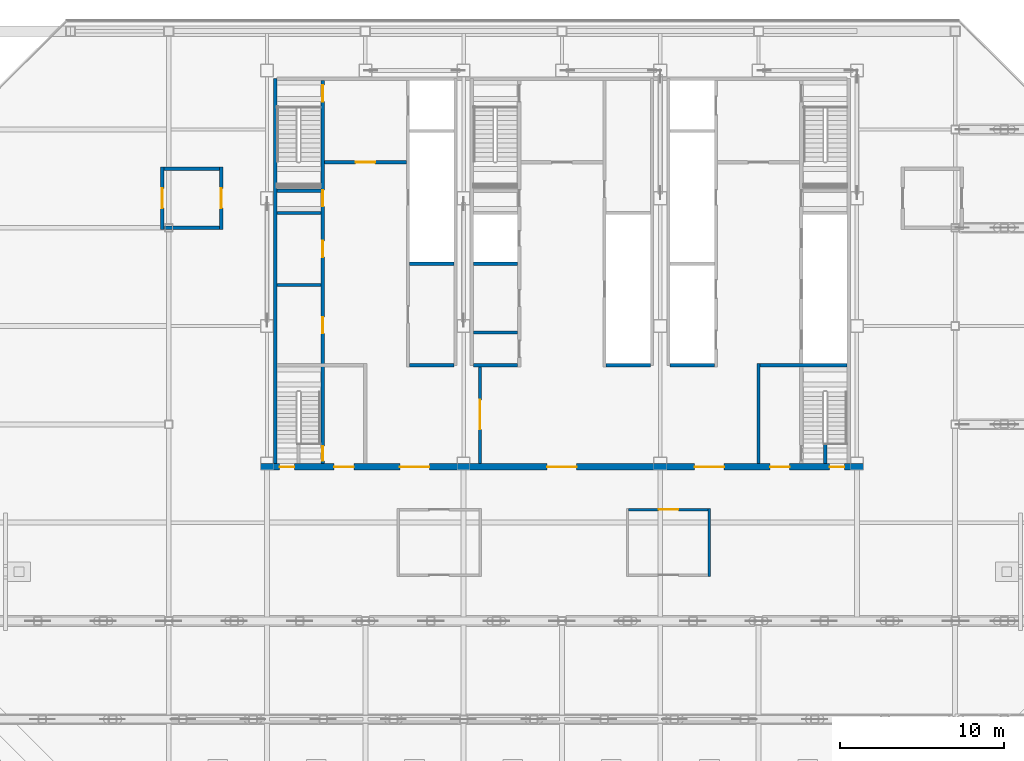
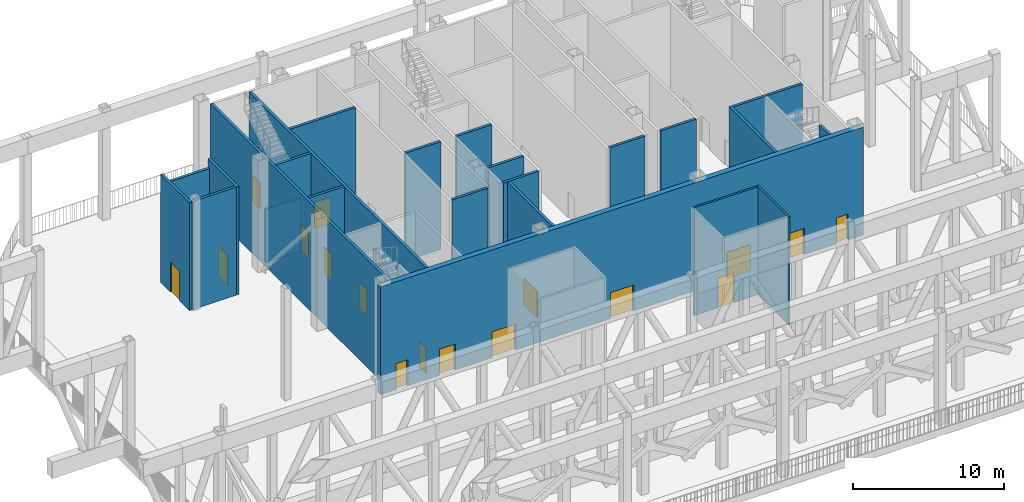
# One storey, part 7 of 22: 24 walls, 17 doors, 17 openings.
"""IFC4 building model written with IfcOpenShell, lengths in metres."""

from ifc_helpers import new_model, si_unit, direction, frame, frame_2d, origin, place, context, subcontext, project, spatial, rectangle, extrude, material, layer, layer_set, type_object, element, fill, save


model = new_model("IFC4")

# Units and contexts
model_context = context("Model", 3, precision=1e-05, world=origin(), true_north=direction((0.0, 1.0)))
body_context = subcontext(model_context, "Body", "Model", "MODEL_VIEW")
ifc_project = project(units=[si_unit("LENGTHUNIT", "METRE"), si_unit("AREAUNIT", "SQUARE_METRE"), si_unit("VOLUMEUNIT", "CUBIC_METRE"), si_unit("PLANEANGLEUNIT", "RADIAN"), si_unit("MASSUNIT", "GRAM", prefix="KILO")], contexts=[model_context])

# Site, building, storey
site_placement = place(None, origin())
site = spatial("IfcSite", under=ifc_project, at=site_placement, CompositionType="ELEMENT")
building_placement = place(site_placement, origin())
building = spatial("IfcBuilding", under=site, at=building_placement, Name="Sorahane Residences", CompositionType="ELEMENT")
storey_placement = place(building_placement, frame((0.0, 0.0, 281.800048828125)))
storey = spatial("IfcBuildingStorey", under=building, at=storey_placement, Name="L67", CompositionType="ELEMENT", Elevation=281.800048828125)

# Wall
ifc_material_1 = material(Name="White painted Concrete C30", Category="concrete")
ifc_layer_1 = layer(ifc_material_1, 0.199951171875)
ifc_layer_set_1 = layer_set([ifc_layer_1], Name="Core face wall painted white 200 EI 180")
wall_type_1 = type_object("IfcWallType", Name="Core face wall painted white 200 EI 180", PredefinedType="SOLIDWALL", material=ifc_layer_set_1)
wall_1_placement = place(storey_placement, frame((6.5, 21.60009765625, 0.0), z_axis=(0.0, 0.0, 1.0), x_axis=(0.0, 1.0, 0.0)))
element("IfcWall", 1, at=wall_1_placement, inside=storey, type_object=wall_type_1, Name="L67 core face wall", PredefinedType="SOLIDWALL", context=body_context, shape_type="SweptSolid", body=[
    extrude(rectangle(XDim=23.5, YDim=0.199951171875, at=frame_2d((11.75, 0.0))), origin(), (0.0, 0.0, 1.0), 8.699951171875),
])

# Wall, opening, door
ifc_material_2 = material(Name="White painted blockwork C20 wall", Category="masonry")
ifc_layer_2 = layer(ifc_material_2, 0.199951171875)
ifc_layer_set_2 = layer_set([ifc_layer_2], Name="Fire wall painted white 200 EI 120")
wall_type_2 = type_object("IfcWallType", Name="Fire wall painted white 200 EI 120", PredefinedType="SOLIDWALL", material=ifc_layer_set_2)
wall_2_placement = place(storey_placement, frame((-0.39990234375, 35.89990234375, 0.0), z_axis=(0.0, 0.0, 1.0), x_axis=(0.0, 1.0, 0.0)))
wall_2 = element("IfcWall", 2, at=wall_2_placement, inside=storey, type_object=wall_type_2, Name="L67 fire wall", PredefinedType="SOLIDWALL", context=body_context, shape_type="SweptSolid", body=[
    extrude(rectangle(XDim=3.800048828125, YDim=0.199951171875, at=frame_2d((1.89990234375, 0.0))), origin(), (0.0, 0.0, 1.0), 8.699951171875),
])
opening_1_placement = place(wall_2_placement, frame((1.300048828125, 0.0, 0.0)))
opening_1 = element("IfcOpeningElement", 3, at=opening_1_placement, cuts=wall_2, Name="Opening L67-03", PredefinedType="OPENING", context=body_context, shape_type="SweptSolid", body=[
    extrude(rectangle(XDim=1.199951171875, YDim=2.39990234375, at=frame_2d((0.60009765625, 1.199951171875))), frame((0.0, 0.10986328125, 0.0), z_axis=(0.0, -1.0, 0.0), x_axis=(1.0, 0.0, 0.0)), (0.0, 0.0, 1.0), 0.219970703125),
])
ifc_material_3 = material(Name="Steel", Category="steel")
door_type_1 = type_object("IfcDoorType", Name="Lobby door 1200x2400 FD60", OperationType="NOTDEFINED", PredefinedType="DOOR", material=ifc_material_3)
door_1_placement = place(opening_1_placement, frame((1.199951171875, 0.0, 0.0), z_axis=(0.0, 0.0, 1.0), x_axis=(-1.0, 0.0, 0.0)))
door_1 = element("IfcDoor", 4, at=door_1_placement, inside=storey, type_object=door_type_1, Name="Lobby door L67-03", OperationType="SINGLE_SWING_RIGHT", OverallHeight=2.39990234375, OverallWidth=1.199951171875, PredefinedType="DOOR", context=body_context, shape_type="SweptSolid", body=[
    extrude(rectangle(XDim=1.199951171875, YDim=2.39990234375, at=frame_2d((0.60009765625, 1.199951171875))), frame((0.0, 0.02490234375, 0.0), z_axis=(0.0, -1.0, 0.0), x_axis=(1.0, 0.0, 0.0)), (0.0, 0.0, 1.0), 0.050048828125),
])
fill(opening_1, door_1)

wall_3_placement = place(storey_placement, frame((3.199951171875, 35.89990234375, 0.0), z_axis=(0.0, 0.0, 1.0), x_axis=(0.0, 1.0, 0.0)))
wall_3 = element("IfcWall", 5, at=wall_3_placement, inside=storey, type_object=wall_type_2, Name="L67 fire wall", PredefinedType="SOLIDWALL", context=body_context, shape_type="SweptSolid", body=[
    extrude(rectangle(XDim=3.800048828125, YDim=0.199951171875, at=frame_2d((1.89990234375, 0.0))), origin(), (0.0, 0.0, 1.0), 8.699951171875),
])
opening_2_placement = place(wall_3_placement, frame((1.300048828125, 0.0, 0.0)))
opening_2 = element("IfcOpeningElement", 6, at=opening_2_placement, cuts=wall_3, Name="Opening L67-04", PredefinedType="OPENING", context=body_context, shape_type="SweptSolid", body=[
    extrude(rectangle(XDim=1.199951171875, YDim=2.39990234375, at=frame_2d((0.60009765625, 1.199951171875))), frame((0.0, 0.10986328125, 0.0), z_axis=(0.0, -1.0, 0.0), x_axis=(1.0, 0.0, 0.0)), (0.0, 0.0, 1.0), 0.219970703125),
])
door_2_placement = place(opening_2_placement, frame((1.199951171875, 0.0, 0.0), z_axis=(0.0, 0.0, 1.0), x_axis=(-1.0, 0.0, 0.0)))
door_2 = element("IfcDoor", 7, at=door_2_placement, inside=storey, type_object=door_type_1, Name="Lobby door L67-04", OperationType="SINGLE_SWING_LEFT", OverallHeight=2.39990234375, OverallWidth=1.199951171875, PredefinedType="DOOR", context=body_context, shape_type="SweptSolid", body=[
    extrude(rectangle(XDim=1.199951171875, YDim=2.39990234375, at=frame_2d((0.60009765625, 1.199951171875))), frame((0.0, 0.02490234375, 0.0), z_axis=(0.0, -1.0, 0.0), x_axis=(1.0, 0.0, 0.0)), (0.0, 0.0, 1.0), 0.050048828125),
])
fill(opening_2, door_2)

# Walls
wall_4_placement = place(storey_placement, frame((-0.300048828125, 36.0, 0.0), z_axis=(0.0, 0.0, 1.0), x_axis=(1.0, 0.0, 0.0)))
element("IfcWall", 8, at=wall_4_placement, inside=storey, type_object=wall_type_2, Name="L67 fire wall", PredefinedType="SOLIDWALL", context=body_context, shape_type="SweptSolid", body=[
    extrude(rectangle(XDim=3.400146484375, YDim=0.199951171875, at=frame_2d((1.7001953125, 0.0))), origin(), (0.0, 0.0, 1.0), 8.699951171875),
])
wall_5_placement = place(storey_placement, frame((-0.300048828125, 39.60009765625, 0.0), z_axis=(0.0, 0.0, 1.0), x_axis=(1.0, 0.0, 0.0)))
element("IfcWall", 9, at=wall_5_placement, inside=storey, type_object=wall_type_2, Name="L67 fire wall", PredefinedType="SOLIDWALL", context=body_context, shape_type="SweptSolid", body=[
    extrude(rectangle(XDim=3.400146484375, YDim=0.199951171875, at=frame_2d((1.7001953125, 0.0))), origin(), (0.0, 0.0, 1.0), 8.0),
])
ifc_material_4 = material(Name="White painted Concrete C30", Category="concrete")
ifc_layer_3 = layer(ifc_material_4, 0.199951171875)
ifc_layer_set_3 = layer_set([ifc_layer_3], Name="Front room wall painted white 200 EI 120")
wall_type_3 = type_object("IfcWallType", Name="Front room wall painted white 200 EI 120", PredefinedType="PARTITIONING", material=ifc_layer_set_3)
wall_6_placement = place(storey_placement, frame((36.0, 21.60009765625, 0.0), z_axis=(0.0, 0.0, 1.0), x_axis=(0.0, 1.0, 0.0)))
element("IfcWall", 10, at=wall_6_placement, inside=storey, type_object=wall_type_3, Name="L67 front room wall", PredefinedType="PARTITIONING", context=body_context, shape_type="SweptSolid", body=[
    extrude(rectangle(XDim=6.099853515625, YDim=0.199951171875, at=frame_2d((3.0498046875, 0.0))), origin(), (0.0, 0.0, 1.0), 8.699951171875),
])

# Wall, opening, door
wall_7_placement = place(storey_placement, frame((9.5, 40.0, 0.0), z_axis=(0.0, 0.0, 1.0), x_axis=(1.0, 0.0, 0.0)))
wall_7 = element("IfcWall", 11, at=wall_7_placement, inside=storey, type_object=wall_type_3, Name="L67 front room wall", PredefinedType="PARTITIONING", context=body_context, shape_type="SweptSolid", body=[
    extrude(rectangle(XDim=5.0, YDim=0.199951171875, at=frame_2d((2.5, 0.0))), origin(), (0.0, 0.0, 1.0), 8.699951171875),
])
opening_3_placement = place(wall_7_placement, frame((1.89990234375, 0.0, 0.0)))
opening_3 = element("IfcOpeningElement", 12, at=opening_3_placement, cuts=wall_7, Name="Opening L67-C07", PredefinedType="OPENING", context=body_context, shape_type="SweptSolid", body=[
    extrude(rectangle(XDim=1.199951171875, YDim=2.10009765625, at=frame_2d((0.60009765625, 1.050048828125))), frame((0.0, 0.10986328125, 0.0), z_axis=(0.0, -1.0, 0.0), x_axis=(1.0, 0.0, 0.0)), (0.0, 0.0, 1.0), 0.219970703125),
])
ifc_material_5 = material(Name="Steel", Category="steel")
door_type_2 = type_object("IfcDoorType", Name="Front room door 1200x2100 FD120", OperationType="NOTDEFINED", PredefinedType="DOOR", material=ifc_material_5)
door_3_placement = place(opening_3_placement, frame((1.199951171875, 0.0, 0.0), z_axis=(0.0, 0.0, 1.0), x_axis=(-1.0, 0.0, 0.0)))
door_3 = element("IfcDoor", 13, at=door_3_placement, inside=storey, type_object=door_type_2, Name="Front room door Firefighting lobby FF1 front room L67", OperationType="DOUBLE_DOOR_SINGLE_SWING", OverallHeight=2.10009765625, OverallWidth=1.199951171875, PredefinedType="DOOR", context=body_context, shape_type="SweptSolid", body=[
    extrude(rectangle(XDim=1.199951171875, YDim=2.10009765625, at=frame_2d((0.60009765625, 1.050048828125))), frame((0.0, 0.02490234375, 0.0), z_axis=(0.0, -1.0, 0.0), x_axis=(1.0, 0.0, 0.0)), (0.0, 0.0, 1.0), 0.050048828125),
])
fill(opening_3, door_3)

# Walls
ifc_material_6 = material(Name="White painted Concrete C30", Category="concrete")
ifc_layer_4 = layer(ifc_material_6, 0.199951171875)
ifc_layer_set_4 = layer_set([ifc_layer_4], Name="Lift shaft wall painted white 200 EI 120")
wall_type_4 = type_object("IfcWallType", Name="Lift shaft wall painted white 200 EI 120", PredefinedType="SOLIDWALL", material=ifc_layer_set_4)
wall_8_placement = place(storey_placement, frame((30.60009765625, 27.60009765625, 0.0), z_axis=(0.0, 0.0, 1.0), x_axis=(1.0, 0.0, 0.0)))
element("IfcWall", 14, at=wall_8_placement, inside=storey, type_object=wall_type_4, Name="L67 lift shaft wall", PredefinedType="SOLIDWALL", context=body_context, shape_type="SweptSolid", body=[
    extrude(rectangle(XDim=2.699951171875, YDim=0.199951171875, at=frame_2d((1.35009765625, 0.0))), origin(), (0.0, 0.0, 1.0), 8.699951171875),
])
ifc_material_7 = material(Name="Gypsum board partition on steel studs", Category="steel")
ifc_layer_5 = layer(ifc_material_7, 0.14990234375)
ifc_layer_set_5 = layer_set([ifc_layer_5], Name="Partition 150 EI 90")
wall_type_5 = type_object("IfcWallType", Name="Partition 150 EI 90", PredefinedType="PARTITIONING", material=ifc_layer_set_5)
wall_9_placement = place(storey_placement, frame((33.0, 14.72509765625, 0.0), z_axis=(0.0, 0.0, 1.0), x_axis=(0.0, 1.0, 0.0)))
element("IfcWall", 15, at=wall_9_placement, inside=storey, type_object=wall_type_5, Name="L67 partition", PredefinedType="PARTITIONING", context=body_context, shape_type="SweptSolid", body=[
    extrude(rectangle(XDim=4.14990234375, YDim=0.14990234375, at=frame_2d((2.074951171875, 0.0))), origin(), (0.0, 0.0, 1.0), 8.699951171875),
])

# Wall, opening, door
wall_10_placement = place(storey_placement, frame((28.074951171875, 18.800048828125, 0.0), z_axis=(0.0, 0.0, 1.0), x_axis=(1.0, 0.0, 0.0)))
wall_10 = element("IfcWall", 16, at=wall_10_placement, inside=storey, type_object=wall_type_5, Name="L67 partition", PredefinedType="PARTITIONING", context=body_context, shape_type="SweptSolid", body=[
    extrude(rectangle(XDim=4.85009765625, YDim=0.14990234375, at=frame_2d((2.425048828125, 0.0))), origin(), (0.0, 0.0, 1.0), 8.699951171875),
])
opening_4_placement = place(wall_10_placement, frame((1.824951171875, 0.0, 0.0)))
opening_4 = element("IfcOpeningElement", 17, at=opening_4_placement, cuts=wall_10, Name="Opening L67-07", PredefinedType="OPENING", context=body_context, shape_type="SweptSolid", body=[
    extrude(rectangle(XDim=1.199951171875, YDim=2.39990234375, at=frame_2d((0.60009765625, 1.199951171875))), frame((0.0, 0.0849609375, 0.0), z_axis=(0.0, -1.0, 0.0), x_axis=(1.0, 0.0, 0.0)), (0.0, 0.0, 1.0), 0.169921875),
])
ifc_material_8 = material(Name="Timber veneered fire door", Category="wood")
door_type_3 = type_object("IfcDoorType", Name="Room door 1200x2400 FD30", OperationType="NOTDEFINED", PredefinedType="DOOR", material=ifc_material_8)
door_4_placement = place(opening_4_placement, frame((1.199951171875, 0.0, 0.0), z_axis=(0.0, 0.0, 1.0), x_axis=(-1.0, 0.0, 0.0)))
door_4 = element("IfcDoor", 18, at=door_4_placement, inside=storey, type_object=door_type_3, Name="Room door L67-07", OperationType="SINGLE_SWING_RIGHT", OverallHeight=2.39990234375, OverallWidth=1.199951171875, PredefinedType="DOOR", context=body_context, shape_type="SweptSolid", body=[
    extrude(rectangle(XDim=1.199951171875, YDim=2.39990234375, at=frame_2d((0.60009765625, 1.199951171875))), frame((0.0, 0.02490234375, 0.0), z_axis=(0.0, -1.0, 0.0), x_axis=(1.0, 0.0, 0.0)), (0.0, 0.0, 1.0), 0.050048828125),
])
fill(opening_4, door_4)

# Walls
ifc_material_9 = material(Name="White painted Concrete C30", Category="concrete")
ifc_layer_6 = layer(ifc_material_9, 0.199951171875)
ifc_layer_set_6 = layer_set([ifc_layer_6], Name="Riser shaft wall painted white 200 EI 120")
wall_type_6 = type_object("IfcWallType", Name="Riser shaft wall painted white 200 EI 120", PredefinedType="SOLIDWALL", material=ifc_layer_set_6)
for number, where, z_axis, x_axis, name in (
    (19, (26.699951171875, 27.60009765625, 0.0), (0.0, 0.0, 1.0), (1.0, 0.0, 0.0), "L67 riser wall"),
    (20, (14.699951171875, 33.800048828125, 0.0), (0.0, 0.0, 1.0), (1.0, 0.0, 0.0), "L67 riser wall"),
    (21, (18.60009765625, 33.800048828125, 0.0), (0.0, 0.0, 1.0), (1.0, 0.0, 0.0), "L67 riser wall"),
):
    element("IfcWall", number, at=place(storey_placement, frame(where, z_axis=z_axis, x_axis=x_axis)), inside=storey, type_object=wall_type_6, Name=name, PredefinedType="SOLIDWALL", context=body_context, shape_type="SweptSolid", body=[
        extrude(rectangle(XDim=2.699951171875, YDim=0.199951171875, at=frame_2d((1.35009765625, 0.0))), origin(), (0.0, 0.0, 1.0), 8.699951171875),
    ])

# Wall, opening, door
ifc_material_10 = material(Name="White painted Concrete C30", Category="concrete")
ifc_layer_7 = layer(ifc_material_10, 0.199951171875)
ifc_layer_set_7 = layer_set([ifc_layer_7], Name="Service room partition painted white 200 EI 60")
wall_type_7 = type_object("IfcWallType", Name="Service room partition painted white 200 EI 60", PredefinedType="PARTITIONING", material=ifc_layer_set_7)
wall_11_placement = place(storey_placement, frame((19.0, 21.60009765625, 0.0), z_axis=(0.0, 0.0, 1.0), x_axis=(0.0, 1.0, 0.0)))
wall_11 = element("IfcWall", 22, at=wall_11_placement, inside=storey, type_object=wall_type_7, Name="L67 service room wall", PredefinedType="PARTITIONING", context=body_context, shape_type="SweptSolid", body=[
    extrude(rectangle(XDim=6.0, YDim=0.199951171875, at=frame_2d((3.0, 0.0))), origin(), (0.0, 0.0, 1.0), 8.699951171875),
])
opening_5_placement = place(wall_11_placement, frame((2.10009765625, 0.0, 0.0)))
opening_5 = element("IfcOpeningElement", 23, at=opening_5_placement, cuts=wall_11, Name="Opening L67-C02", PredefinedType="OPENING", context=body_context, shape_type="SweptSolid", body=[
    extrude(rectangle(XDim=1.800048828125, YDim=2.10009765625, at=frame_2d((0.89990234375, 1.050048828125))), frame((0.0, 0.10986328125, 0.0), z_axis=(0.0, -1.0, 0.0), x_axis=(1.0, 0.0, 0.0)), (0.0, 0.0, 1.0), 0.219970703125),
])
ifc_material_11 = material(Name="Steel", Category="steel")
door_type_4 = type_object("IfcDoorType", Name="Waiting hall door 1800x2100 FD60", OperationType="NOTDEFINED", PredefinedType="DOOR", material=ifc_material_11)
door_5_placement = place(opening_5_placement, origin())
door_5 = element("IfcDoor", 24, at=door_5_placement, inside=storey, type_object=door_type_4, Name="Waiting hall door Residents' waiting hall west L67", OperationType="SINGLE_SWING_LEFT", OverallHeight=2.10009765625, OverallWidth=1.800048828125, PredefinedType="DOOR", context=body_context, shape_type="SweptSolid", body=[
    extrude(rectangle(XDim=1.800048828125, YDim=2.10009765625, at=frame_2d((0.89990234375, 1.050048828125))), frame((0.0, 0.02490234375, 0.0), z_axis=(0.0, -1.0, 0.0), x_axis=(1.0, 0.0, 0.0)), (0.0, 0.0, 1.0), 0.050048828125),
])
fill(opening_5, door_5)

# Walls
for number, where, z_axis, x_axis, name in (
    (25, (14.699951171875, 27.60009765625, 0.0), (0.0, 0.0, 1.0), (1.0, 0.0, 0.0), "L67 service room wall"),
    (26, (18.60009765625, 27.60009765625, 0.0), (0.0, 0.0, 1.0), (1.0, 0.0, 0.0), "L67 service room wall"),
    (27, (18.60009765625, 29.60009765625, 0.0), (0.0, 0.0, 1.0), (1.0, 0.0, 0.0), "L67 service room wall"),
    (28, (6.60009765625, 32.5, 0.0), (0.0, 0.0, 1.0), (1.0, 0.0, 0.0), "L67 service room wall"),
):
    element("IfcWall", number, at=place(storey_placement, frame(where, z_axis=z_axis, x_axis=x_axis)), inside=storey, type_object=wall_type_7, Name=name, PredefinedType="PARTITIONING", context=body_context, shape_type="SweptSolid", body=[
        extrude(rectangle(XDim=2.699951171875, YDim=0.199951171875, at=frame_2d((1.35009765625, 0.0))), origin(), (0.0, 0.0, 1.0), 8.699951171875),
    ])
ifc_material_12 = material(Name="White painted Concrete C30", Category="concrete")
ifc_layer_8 = layer(ifc_material_12, 0.199951171875)
ifc_layer_set_8 = layer_set([ifc_layer_8], Name="Stair enclosure wall painted white 200 EI 120")
wall_type_8 = type_object("IfcWallType", Name="Stair enclosure wall painted white 200 EI 120", PredefinedType="SOLIDWALL", material=ifc_layer_set_8)
wall_12_placement = place(storey_placement, frame((40.074951171875, 21.60009765625, 0.0), z_axis=(0.0, 0.0, 1.0), x_axis=(0.0, 1.0, 0.0)))
element("IfcWall", 29, at=wall_12_placement, inside=storey, type_object=wall_type_8, Name="L67 stair enclosure wall", PredefinedType="SOLIDWALL", context=body_context, shape_type="SweptSolid", body=[
    extrude(rectangle(XDim=1.25, YDim=0.199951171875, at=frame_2d((0.625, 0.0))), origin(), (0.0, 0.0, 1.0), 8.699951171875),
])

# Wall, openings, doors
wall_13_placement = place(storey_placement, frame((9.39990234375, 21.60009765625, 0.0), z_axis=(0.0, 0.0, 1.0), x_axis=(0.0, 1.0, 0.0)))
wall_13 = element("IfcWall", 30, at=wall_13_placement, inside=storey, type_object=wall_type_8, Name="L67 stair enclosure wall", PredefinedType="SOLIDWALL", context=body_context, shape_type="SweptSolid", body=[
    extrude(rectangle(XDim=23.39990234375, YDim=0.199951171875, at=frame_2d((11.699951171875, 0.0))), origin(), (0.0, 0.0, 1.0), 8.699951171875),
])
opening_6_placement = place(wall_13_placement, frame((7.949951171875, 0.0, 0.0)))
opening_6 = element("IfcOpeningElement", 31, at=opening_6_placement, cuts=wall_13, Name="Opening L67-C20", PredefinedType="OPENING", context=body_context, shape_type="SweptSolid", body=[
    extrude(rectangle(XDim=1.0, YDim=2.10009765625, at=frame_2d((0.5, 1.050048828125))), frame((0.0, 0.10986328125, 0.0), z_axis=(0.0, -1.0, 0.0), x_axis=(1.0, 0.0, 0.0)), (0.0, 0.0, 1.0), 0.219970703125),
])
opening_7_placement = place(wall_13_placement, frame((12.60009765625, 0.0, 0.0)))
opening_7 = element("IfcOpeningElement", 32, at=opening_7_placement, cuts=wall_13, Name="Opening L67-C21", PredefinedType="OPENING", context=body_context, shape_type="SweptSolid", body=[
    extrude(rectangle(XDim=1.0, YDim=2.10009765625, at=frame_2d((0.5, 1.050048828125))), frame((0.0, 0.10986328125, 0.0), z_axis=(0.0, -1.0, 0.0), x_axis=(1.0, 0.0, 0.0)), (0.0, 0.0, 1.0), 0.219970703125),
])
opening_8_placement = place(wall_13_placement, frame((15.699951171875, 0.0, 0.0)))
opening_8 = element("IfcOpeningElement", 33, at=opening_8_placement, cuts=wall_13, Name="Opening L67-C22", PredefinedType="OPENING", context=body_context, shape_type="SweptSolid", body=[
    extrude(rectangle(XDim=1.0, YDim=2.10009765625, at=frame_2d((0.5, 1.050048828125))), frame((0.0, 0.10986328125, 0.0), z_axis=(0.0, -1.0, 0.0), x_axis=(1.0, 0.0, 0.0)), (0.0, 0.0, 1.0), 0.219970703125),
])
opening_9_placement = place(wall_13_placement, frame((22.10009765625, 0.0, 0.0)))
opening_9 = element("IfcOpeningElement", 34, at=opening_9_placement, cuts=wall_13, Name="Opening L67-C23", PredefinedType="OPENING", context=body_context, shape_type="SweptSolid", body=[
    extrude(rectangle(XDim=1.0, YDim=2.10009765625, at=frame_2d((0.5, 1.050048828125))), frame((0.0, 0.10986328125, 0.0), z_axis=(0.0, -1.0, 0.0), x_axis=(1.0, 0.0, 0.0)), (0.0, 0.0, 1.0), 0.219970703125),
])
opening_10_placement = place(wall_13_placement, frame((0.175048828125, 0.0, 0.0)))
opening_10 = element("IfcOpeningElement", 35, at=opening_10_placement, cuts=wall_13, Name="Opening L67-C29", PredefinedType="OPENING", context=body_context, shape_type="SweptSolid", body=[
    extrude(rectangle(XDim=0.89990234375, YDim=2.10009765625, at=frame_2d((0.449951171875, 1.050048828125))), frame((0.0, 0.10986328125, 0.0), z_axis=(0.0, -1.0, 0.0), x_axis=(1.0, 0.0, 0.0)), (0.0, 0.0, 1.0), 0.219970703125),
])
ifc_material_13 = material(Name="Steel", Category="steel")
door_type_5 = type_object("IfcDoorType", Name="Refuge stair door 1000x2100 FD120", OperationType="NOTDEFINED", PredefinedType="DOOR", material=ifc_material_13)
door_6_placement = place(opening_8_placement, origin())
door_6 = element("IfcDoor", 36, at=door_6_placement, inside=storey, type_object=door_type_5, Name="Refuge stair door S1 L67", OperationType="SINGLE_SWING_LEFT", OverallHeight=2.10009765625, OverallWidth=1.0, PredefinedType="DOOR", context=body_context, shape_type="SweptSolid", body=[
    extrude(rectangle(XDim=1.0, YDim=2.10009765625, at=frame_2d((0.5, 1.050048828125))), frame((0.0, 0.02490234375, 0.0), z_axis=(0.0, -1.0, 0.0), x_axis=(1.0, 0.0, 0.0)), (0.0, 0.0, 1.0), 0.050048828125),
])
fill(opening_8, door_6)
door_7_placement = place(opening_9_placement, origin())
door_7 = element("IfcDoor", 37, at=door_7_placement, inside=storey, type_object=door_type_5, Name="Refuge stair door S1 L67", OperationType="SINGLE_SWING_LEFT", OverallHeight=2.10009765625, OverallWidth=1.0, PredefinedType="DOOR", context=body_context, shape_type="SweptSolid", body=[
    extrude(rectangle(XDim=1.0, YDim=2.10009765625, at=frame_2d((0.5, 1.050048828125))), frame((0.0, 0.02490234375, 0.0), z_axis=(0.0, -1.0, 0.0), x_axis=(1.0, 0.0, 0.0)), (0.0, 0.0, 1.0), 0.050048828125),
])
fill(opening_9, door_7)
ifc_material_14 = material(Name="Steel", Category="steel")
door_type_6 = type_object("IfcDoorType", Name="Refuge stair door 900x2100 FD120", OperationType="NOTDEFINED", PredefinedType="DOOR", material=ifc_material_14)
door_8_placement = place(opening_10_placement, origin())
door_8 = element("IfcDoor", 38, at=door_8_placement, inside=storey, type_object=door_type_6, Name="Refuge stair door S4 L67", OperationType="SINGLE_SWING_LEFT", OverallHeight=2.10009765625, OverallWidth=0.89990234375, PredefinedType="DOOR", context=body_context, shape_type="SweptSolid", body=[
    extrude(rectangle(XDim=0.89990234375, YDim=2.10009765625, at=frame_2d((0.449951171875, 1.050048828125))), frame((0.0, 0.02490234375, 0.0), z_axis=(0.0, -1.0, 0.0), x_axis=(1.0, 0.0, 0.0)), (0.0, 0.0, 1.0), 0.050048828125),
])
fill(opening_10, door_8)
ifc_material_15 = material(Name="Steel", Category="steel")
door_type_7 = type_object("IfcDoorType", Name="Service room door 1000x2100 FD60", OperationType="NOTDEFINED", PredefinedType="DOOR", material=ifc_material_15)
door_9_placement = place(opening_6_placement, origin())
door_9 = element("IfcDoor", 39, at=door_9_placement, inside=storey, type_object=door_type_7, Name="Service room door Wine room L67", OperationType="SINGLE_SWING_LEFT", OverallHeight=2.10009765625, OverallWidth=1.0, PredefinedType="DOOR", context=body_context, shape_type="SweptSolid", body=[
    extrude(rectangle(XDim=1.0, YDim=2.10009765625, at=frame_2d((0.5, 1.050048828125))), frame((0.0, 0.02490234375, 0.0), z_axis=(0.0, -1.0, 0.0), x_axis=(1.0, 0.0, 0.0)), (0.0, 0.0, 1.0), 0.050048828125),
])
fill(opening_6, door_9)
door_10_placement = place(opening_7_placement, origin())
door_10 = element("IfcDoor", 40, at=door_10_placement, inside=storey, type_object=door_type_7, Name="Service room door Games room L67", OperationType="SINGLE_SWING_RIGHT", OverallHeight=2.10009765625, OverallWidth=1.0, PredefinedType="DOOR", context=body_context, shape_type="SweptSolid", body=[
    extrude(rectangle(XDim=1.0, YDim=2.10009765625, at=frame_2d((0.5, 1.050048828125))), frame((0.0, 0.02490234375, 0.0), z_axis=(0.0, -1.0, 0.0), x_axis=(1.0, 0.0, 0.0)), (0.0, 0.0, 1.0), 0.050048828125),
])
fill(opening_7, door_10)

# Walls
wall_14_placement = place(storey_placement, frame((36.10009765625, 27.60009765625, 0.0), z_axis=(0.0, 0.0, 1.0), x_axis=(1.0, 0.0, 0.0)))
element("IfcWall", 41, at=wall_14_placement, inside=storey, type_object=wall_type_8, Name="L67 stair enclosure wall", PredefinedType="SOLIDWALL", context=body_context, shape_type="SweptSolid", body=[
    extrude(rectangle(XDim=5.2998046875, YDim=0.199951171875, at=frame_2d((2.64990234375, 0.0))), origin(), (0.0, 0.0, 1.0), 8.699951171875),
])
wall_15_placement = place(storey_placement, frame((6.60009765625, 36.89990234375, 0.0), z_axis=(0.0, 0.0, 1.0), x_axis=(1.0, 0.0, 0.0)))
element("IfcWall", 42, at=wall_15_placement, inside=storey, type_object=wall_type_8, Name="L67 stair enclosure wall", PredefinedType="SOLIDWALL", context=body_context, shape_type="SweptSolid", body=[
    extrude(rectangle(XDim=2.699951171875, YDim=0.199951171875, at=frame_2d((1.35009765625, 0.0))), origin(), (0.0, 0.0, 1.0), 8.699951171875),
])
wall_16_placement = place(storey_placement, frame((6.60009765625, 38.25, 0.0), z_axis=(0.0, 0.0, 1.0), x_axis=(1.0, 0.0, 0.0)))
element("IfcWall", 43, at=wall_16_placement, inside=storey, type_object=wall_type_8, Name="L67 stair enclosure wall", PredefinedType="SOLIDWALL", context=body_context, shape_type="SweptSolid", body=[
    extrude(rectangle(XDim=2.699951171875, YDim=0.199951171875, at=frame_2d((1.35009765625, 0.0))), origin(), (0.0, 0.0, 1.0), 4.300048828125),
])

# Wall, openings, doors
ifc_material_16 = material(Name="White painted Concrete C30", Category="concrete")
ifc_layer_9 = layer(ifc_material_16, 0.39990234375)
ifc_layer_set_9 = layer_set([ifc_layer_9], Name="Waiting hall wall painted white 400 EI 120")
wall_type_9 = type_object("IfcWallType", Name="Waiting hall wall painted white 400 EI 120", PredefinedType="SOLIDWALL", material=ifc_layer_set_9)
wall_17_placement = place(storey_placement, frame((5.60009765625, 21.39990234375, 0.0), z_axis=(0.0, 0.0, 1.0), x_axis=(1.0, 0.0, 0.0)))
wall_17 = element("IfcWall", 44, at=wall_17_placement, inside=storey, type_object=wall_type_9, Name="L67 waiting hall wall", PredefinedType="SOLIDWALL", context=body_context, shape_type="SweptSolid", body=[
    extrude(rectangle(XDim=36.7998046875, YDim=0.39990234375, at=frame_2d((18.39990234375, 0.0))), origin(), (0.0, 0.0, 1.0), 8.699951171875),
])
opening_11_placement = place(wall_17_placement, frame((8.5, 0.0, 0.0)))
opening_11 = element("IfcOpeningElement", 45, at=opening_11_placement, cuts=wall_17, Name="Opening L67-C01", PredefinedType="OPENING", context=body_context, shape_type="SweptSolid", body=[
    extrude(rectangle(XDim=1.800048828125, YDim=2.10009765625, at=frame_2d((0.89990234375, 1.050048828125))), frame((0.0, 0.2099609375, 0.0), z_axis=(0.0, -1.0, 0.0), x_axis=(1.0, 0.0, 0.0)), (0.0, 0.0, 1.0), 0.419921875),
])
opening_12_placement = place(wall_17_placement, frame((17.5, 0.0, 0.0)))
opening_12 = element("IfcOpeningElement", 46, at=opening_12_placement, cuts=wall_17, Name="Opening L67-C03", PredefinedType="OPENING", context=body_context, shape_type="SweptSolid", body=[
    extrude(rectangle(XDim=1.800048828125, YDim=2.10009765625, at=frame_2d((0.89990234375, 1.050048828125))), frame((0.0, 0.2099609375, 0.0), z_axis=(0.0, -1.0, 0.0), x_axis=(1.0, 0.0, 0.0)), (0.0, 0.0, 1.0), 0.419921875),
])
opening_13_placement = place(wall_17_placement, frame((26.5, 0.0, 0.0)))
opening_13 = element("IfcOpeningElement", 47, at=opening_13_placement, cuts=wall_17, Name="Opening L67-C04", PredefinedType="OPENING", context=body_context, shape_type="SweptSolid", body=[
    extrude(rectangle(XDim=1.800048828125, YDim=2.10009765625, at=frame_2d((0.89990234375, 1.050048828125))), frame((0.0, 0.2099609375, 0.0), z_axis=(0.0, -1.0, 0.0), x_axis=(1.0, 0.0, 0.0)), (0.0, 0.0, 1.0), 0.419921875),
])
opening_14_placement = place(wall_17_placement, frame((4.5, 0.0, 0.0)))
opening_14 = element("IfcOpeningElement", 48, at=opening_14_placement, cuts=wall_17, Name="Opening L67-C05", PredefinedType="OPENING", context=body_context, shape_type="SweptSolid", body=[
    extrude(rectangle(XDim=1.199951171875, YDim=2.10009765625, at=frame_2d((0.60009765625, 1.050048828125))), frame((0.0, 0.2099609375, 0.0), z_axis=(0.0, -1.0, 0.0), x_axis=(1.0, 0.0, 0.0)), (0.0, 0.0, 1.0), 0.419921875),
])
opening_15_placement = place(wall_17_placement, frame((31.10009765625, 0.0, 0.0)))
opening_15 = element("IfcOpeningElement", 49, at=opening_15_placement, cuts=wall_17, Name="Opening L67-C06", PredefinedType="OPENING", context=body_context, shape_type="SweptSolid", body=[
    extrude(rectangle(XDim=1.199951171875, YDim=2.10009765625, at=frame_2d((0.60009765625, 1.050048828125))), frame((0.0, 0.2099609375, 0.0), z_axis=(0.0, -1.0, 0.0), x_axis=(1.0, 0.0, 0.0)), (0.0, 0.0, 1.0), 0.419921875),
])
opening_16_placement = place(wall_17_placement, frame((1.16259765625, 0.0, 0.0)))
opening_16 = element("IfcOpeningElement", 50, at=opening_16_placement, cuts=wall_17, Name="Opening L67-C28", PredefinedType="OPENING", context=body_context, shape_type="SweptSolid", body=[
    extrude(rectangle(XDim=0.89990234375, YDim=2.10009765625, at=frame_2d((0.449951171875, 1.050048828125))), frame((0.0, 0.2099609375, 0.0), z_axis=(0.0, -1.0, 0.0), x_axis=(1.0, 0.0, 0.0)), (0.0, 0.0, 1.0), 0.419921875),
])
opening_17_placement = place(wall_17_placement, frame((34.737548828125, 0.0, 0.0)))
opening_17 = element("IfcOpeningElement", 51, at=opening_17_placement, cuts=wall_17, Name="Opening L67-C31", PredefinedType="OPENING", context=body_context, shape_type="SweptSolid", body=[
    extrude(rectangle(XDim=0.89990234375, YDim=2.10009765625, at=frame_2d((0.449951171875, 1.050048828125))), frame((0.0, 0.2099609375, 0.0), z_axis=(0.0, -1.0, 0.0), x_axis=(1.0, 0.0, 0.0)), (0.0, 0.0, 1.0), 0.419921875),
])
door_11_placement = place(opening_16_placement, origin())
door_11 = element("IfcDoor", 52, at=door_11_placement, inside=storey, type_object=door_type_6, Name="Refuge stair door S4 L67", OperationType="SINGLE_SWING_LEFT", OverallHeight=2.10009765625, OverallWidth=0.89990234375, PredefinedType="DOOR", context=body_context, shape_type="SweptSolid", body=[
    extrude(rectangle(XDim=0.89990234375, YDim=2.10009765625, at=frame_2d((0.449951171875, 1.050048828125))), frame((0.0, 0.02490234375, 0.0), z_axis=(0.0, -1.0, 0.0), x_axis=(1.0, 0.0, 0.0)), (0.0, 0.0, 1.0), 0.050048828125),
])
fill(opening_16, door_11)
door_12_placement = place(opening_17_placement, origin())
door_12 = element("IfcDoor", 53, at=door_12_placement, inside=storey, type_object=door_type_6, Name="Refuge stair door S5 L67", OperationType="SINGLE_SWING_LEFT", OverallHeight=2.10009765625, OverallWidth=0.89990234375, PredefinedType="DOOR", context=body_context, shape_type="SweptSolid", body=[
    extrude(rectangle(XDim=0.89990234375, YDim=2.10009765625, at=frame_2d((0.449951171875, 1.050048828125))), frame((0.0, 0.02490234375, 0.0), z_axis=(0.0, -1.0, 0.0), x_axis=(1.0, 0.0, 0.0)), (0.0, 0.0, 1.0), 0.050048828125),
])
fill(opening_17, door_12)
ifc_material_17 = material(Name="Steel", Category="steel")
door_type_8 = type_object("IfcDoorType", Name="Stair front room door 1200x2100 FD120", OperationType="NOTDEFINED", PredefinedType="DOOR", material=ifc_material_17)
door_13_placement = place(opening_14_placement, frame((1.199951171875, 0.0, 0.0), z_axis=(0.0, 0.0, 1.0), x_axis=(-1.0, 0.0, 0.0)))
door_13 = element("IfcDoor", 54, at=door_13_placement, inside=storey, type_object=door_type_8, Name="Stair front room door Stair S4 front room L67", OperationType="SINGLE_SWING_LEFT", OverallHeight=2.10009765625, OverallWidth=1.199951171875, PredefinedType="DOOR", context=body_context, shape_type="SweptSolid", body=[
    extrude(rectangle(XDim=1.199951171875, YDim=2.10009765625, at=frame_2d((0.60009765625, 1.050048828125))), frame((0.0, 0.02490234375, 0.0), z_axis=(0.0, -1.0, 0.0), x_axis=(1.0, 0.0, 0.0)), (0.0, 0.0, 1.0), 0.050048828125),
])
fill(opening_14, door_13)
door_14_placement = place(opening_15_placement, frame((1.199951171875, 0.0, 0.0), z_axis=(0.0, 0.0, 1.0), x_axis=(-1.0, 0.0, 0.0)))
door_14 = element("IfcDoor", 55, at=door_14_placement, inside=storey, type_object=door_type_8, Name="Stair front room door Stair S5 front room L67", OperationType="SINGLE_SWING_LEFT", OverallHeight=2.10009765625, OverallWidth=1.199951171875, PredefinedType="DOOR", context=body_context, shape_type="SweptSolid", body=[
    extrude(rectangle(XDim=1.199951171875, YDim=2.10009765625, at=frame_2d((0.60009765625, 1.050048828125))), frame((0.0, 0.02490234375, 0.0), z_axis=(0.0, -1.0, 0.0), x_axis=(1.0, 0.0, 0.0)), (0.0, 0.0, 1.0), 0.050048828125),
])
fill(opening_15, door_14)
door_15_placement = place(opening_11_placement, frame((1.800048828125, 0.0, 0.0), z_axis=(0.0, 0.0, 1.0), x_axis=(-1.0, 0.0, 0.0)))
door_15 = element("IfcDoor", 56, at=door_15_placement, inside=storey, type_object=door_type_4, Name="Waiting hall door Residents' waiting hall west L67", OperationType="SINGLE_SWING_LEFT", OverallHeight=2.10009765625, OverallWidth=1.800048828125, PredefinedType="DOOR", context=body_context, shape_type="SweptSolid", body=[
    extrude(rectangle(XDim=1.800048828125, YDim=2.10009765625, at=frame_2d((0.89990234375, 1.050048828125))), frame((0.0, 0.02490234375, 0.0), z_axis=(0.0, -1.0, 0.0), x_axis=(1.0, 0.0, 0.0)), (0.0, 0.0, 1.0), 0.050048828125),
])
fill(opening_11, door_15)
door_16_placement = place(opening_12_placement, frame((1.800048828125, 0.0, 0.0), z_axis=(0.0, 0.0, 1.0), x_axis=(-1.0, 0.0, 0.0)))
door_16 = element("IfcDoor", 57, at=door_16_placement, inside=storey, type_object=door_type_4, Name="Waiting hall door Residents' waiting hall east L67", OperationType="SINGLE_SWING_LEFT", OverallHeight=2.10009765625, OverallWidth=1.800048828125, PredefinedType="DOOR", context=body_context, shape_type="SweptSolid", body=[
    extrude(rectangle(XDim=1.800048828125, YDim=2.10009765625, at=frame_2d((0.89990234375, 1.050048828125))), frame((0.0, 0.02490234375, 0.0), z_axis=(0.0, -1.0, 0.0), x_axis=(1.0, 0.0, 0.0)), (0.0, 0.0, 1.0), 0.050048828125),
])
fill(opening_12, door_16)
door_17_placement = place(opening_13_placement, frame((1.800048828125, 0.0, 0.0), z_axis=(0.0, 0.0, 1.0), x_axis=(-1.0, 0.0, 0.0)))
door_17 = element("IfcDoor", 58, at=door_17_placement, inside=storey, type_object=door_type_4, Name="Waiting hall door Residents' waiting hall east L67", OperationType="SINGLE_SWING_LEFT", OverallHeight=2.10009765625, OverallWidth=1.800048828125, PredefinedType="DOOR", context=body_context, shape_type="SweptSolid", body=[
    extrude(rectangle(XDim=1.800048828125, YDim=2.10009765625, at=frame_2d((0.89990234375, 1.050048828125))), frame((0.0, 0.02490234375, 0.0), z_axis=(0.0, -1.0, 0.0), x_axis=(1.0, 0.0, 0.0)), (0.0, 0.0, 1.0), 0.050048828125),
])
fill(opening_13, door_17)

save(model, "model.ifc")
